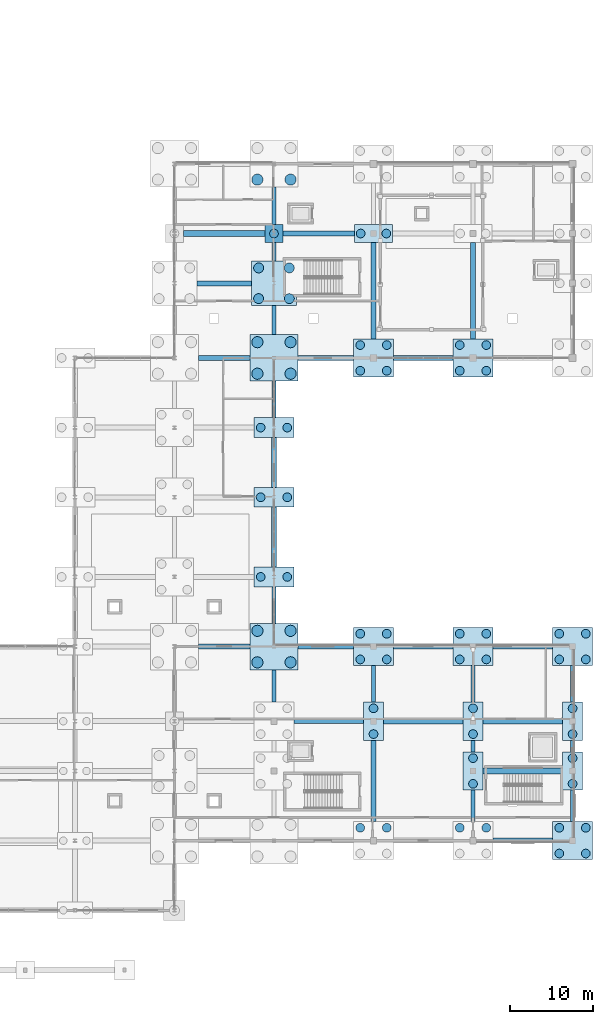
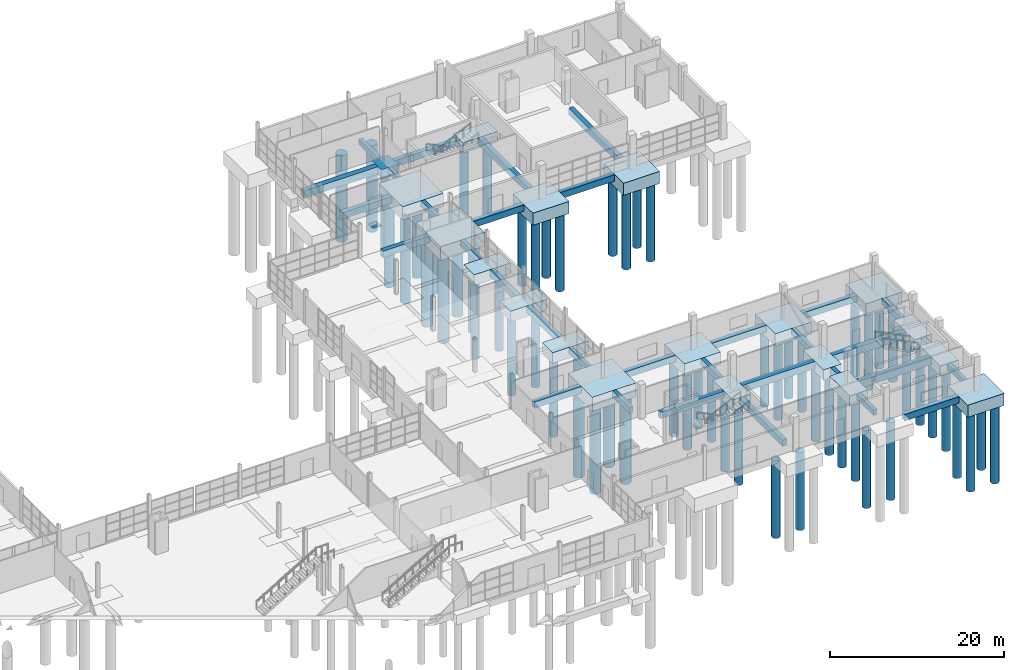
# One storey, part 5 of 82: 61 piles, 52 footings.
"""IFC4 building model written with IfcOpenShell, lengths in metres."""

from ifc_helpers import new_model, si_unit, direction, frame, origin, origin_2d, place, context, subcontext, project, spatial, rectangle, circle, extrude, material, material_profile, profile_set, type_object, element, save


model = new_model("IFC4")

# Units and contexts
model_context = context("Model", 3, precision=1e-05, world=origin(), true_north=direction((0.0, 1.0)))
body_context = subcontext(model_context, "Body", "Model", "MODEL_VIEW")
ifc_project = project(units=[si_unit("LENGTHUNIT", "METRE"), si_unit("AREAUNIT", "SQUARE_METRE"), si_unit("VOLUMEUNIT", "CUBIC_METRE"), si_unit("PLANEANGLEUNIT", "RADIAN"), si_unit("MASSUNIT", "GRAM", prefix="KILO")], contexts=[model_context])

# Site, building, storey
site_placement = place(None, origin())
site = spatial("IfcSite", under=ifc_project, at=site_placement, CompositionType="ELEMENT")
building_placement = place(site_placement, origin())
building = spatial("IfcBuilding", under=site, at=building_placement, Name="Kelmvaro Bay Concert Hall", CompositionType="ELEMENT")
storey_placement = place(building_placement, origin())
storey = spatial("IfcBuildingStorey", under=building, at=storey_placement, Name="L00", CompositionType="ELEMENT", Elevation=0.0)

# Footings
ifc_material_1 = material(Name="Concrete C35/45", Category="concrete")
footing_type_1 = type_object("IfcFootingType", Name="Grade Tie Beam 500x800", PredefinedType="FOOTING_BEAM", material=ifc_material_1)
footing_1_placement = place(storey_placement, frame((132.0, 34.25, -0.7998046875), z_axis=(0.0, 0.0, 1.0), x_axis=(0.0, 1.0, 0.0)))
element("IfcFooting", 1, at=footing_1_placement, inside=storey, type_object=footing_type_1, Name="Grade Tie Beam FDN-TB-181", PredefinedType="FOOTING_BEAM", context=body_context, shape_type="SweptSolid", body=[
    extrude(rectangle(XDim=3.89990234375, YDim=0.5, at=origin_2d()), origin(), (0.0, 0.0, 1.0), 0.800048828125),
])
for number, where, z_axis, x_axis, name in (
    (2, (132.0, 44.0, -0.7998046875), (0.0, 0.0, 1.0), (0.0, 1.0, 0.0), "Grade Tie Beam FDN-TB-182"),
    (3, (132.0, 68.800048828125, -0.7998046875), (0.0, 0.0, 1.0), (0.0, 1.0, 0.0), "Grade Tie Beam FDN-TB-185"),
):
    element("IfcFooting", number, at=place(storey_placement, frame(where, z_axis=z_axis, x_axis=x_axis)), inside=storey, type_object=footing_type_1, Name=name, PredefinedType="FOOTING_BEAM", context=body_context, shape_type="SweptSolid", body=[
        extrude(rectangle(XDim=4.39990234375, YDim=0.5, at=origin_2d()), origin(), (0.0, 0.0, 1.0), 0.800048828125),
    ])
footing_2_placement = place(storey_placement, frame((132.0, 78.35009765625, -0.7998046875), z_axis=(0.0, 0.0, 1.0), x_axis=(0.0, 1.0, 0.0)))
element("IfcFooting", 4, at=footing_2_placement, inside=storey, type_object=footing_type_1, Name="Grade Tie Beam FDN-TB-186", PredefinedType="FOOTING_BEAM", context=body_context, shape_type="SweptSolid", body=[
    extrude(rectangle(XDim=3.5, YDim=0.5, at=origin_2d()), origin(), (0.0, 0.0, 1.0), 0.800048828125),
])
footing_3_placement = place(storey_placement, frame((132.0, 86.60009765625, -0.7998046875), z_axis=(0.0, 0.0, 1.0), x_axis=(0.0, 1.0, 0.0)))
element("IfcFooting", 5, at=footing_3_placement, inside=storey, type_object=footing_type_1, Name="Grade Tie Beam FDN-TB-187", PredefinedType="FOOTING_BEAM", context=body_context, shape_type="SweptSolid", body=[
    extrude(rectangle(XDim=2.199951171875, YDim=0.5, at=origin_2d()), origin(), (0.0, 0.0, 1.0), 0.800048828125),
])
footing_4_placement = place(storey_placement, frame((132.0, 92.14990234375, -0.7998046875), z_axis=(0.0, 0.0, 1.0), x_axis=(0.0, 1.0, 0.0)))
element("IfcFooting", 6, at=footing_4_placement, inside=storey, type_object=footing_type_1, Name="Grade Tie Beam FDN-TB-188", PredefinedType="FOOTING_BEAM", context=body_context, shape_type="SweptSolid", body=[
    extrude(rectangle(XDim=4.5, YDim=0.5, at=origin_2d()), origin(), (0.0, 0.0, 1.0), 0.800048828125),
])
footing_5_placement = place(storey_placement, frame((144.0, 34.5, -0.7998046875), z_axis=(0.0, 0.0, 1.0), x_axis=(0.0, 1.0, 0.0)))
element("IfcFooting", 7, at=footing_5_placement, inside=storey, type_object=footing_type_1, Name="Grade Tie Beam FDN-TB-190", PredefinedType="FOOTING_BEAM", context=body_context, shape_type="SweptSolid", body=[
    extrude(rectangle(XDim=4.39990234375, YDim=0.5, at=origin_2d()), origin(), (0.0, 0.0, 1.0), 0.800048828125),
])
footing_6_placement = place(storey_placement, frame((156.0, 19.800048828125, -0.7998046875), z_axis=(0.0, 0.0, 1.0), x_axis=(0.0, 1.0, 0.0)))
element("IfcFooting", 8, at=footing_6_placement, inside=storey, type_object=footing_type_1, Name="Grade Tie Beam FDN-TB-193", PredefinedType="FOOTING_BEAM", context=body_context, shape_type="SweptSolid", body=[
    extrude(rectangle(XDim=3.800048828125, YDim=0.5, at=origin_2d()), origin(), (0.0, 0.0, 1.0), 0.800048828125),
])
footing_7_placement = place(storey_placement, frame((156.0, 27.0, -0.7998046875), z_axis=(0.0, 0.0, 1.0), x_axis=(0.0, 1.0, 0.0)))
element("IfcFooting", 9, at=footing_7_placement, inside=storey, type_object=footing_type_1, Name="Grade Tie Beam FDN-TB-194", PredefinedType="FOOTING_BEAM", context=body_context, shape_type="SweptSolid", body=[
    extrude(rectangle(XDim=1.39990234375, YDim=0.5, at=origin_2d()), origin(), (0.0, 0.0, 1.0), 0.800048828125),
])
footing_8_placement = place(storey_placement, frame((156.0, 34.5, -0.7998046875), z_axis=(0.0, 0.0, 1.0), x_axis=(0.0, 1.0, 0.0)))
element("IfcFooting", 10, at=footing_8_placement, inside=storey, type_object=footing_type_1, Name="Grade Tie Beam FDN-TB-195", PredefinedType="FOOTING_BEAM", context=body_context, shape_type="SweptSolid", body=[
    extrude(rectangle(XDim=4.39990234375, YDim=0.5, at=origin_2d()), origin(), (0.0, 0.0, 1.0), 0.800048828125),
])
footing_9_placement = place(storey_placement, frame((168.0, 19.800048828125, -0.7998046875), z_axis=(0.0, 0.0, 1.0), x_axis=(0.0, 1.0, 0.0)))
element("IfcFooting", 11, at=footing_9_placement, inside=storey, type_object=footing_type_1, Name="Grade Tie Beam FDN-TB-198", PredefinedType="FOOTING_BEAM", context=body_context, shape_type="SweptSolid", body=[
    extrude(rectangle(XDim=3.800048828125, YDim=0.5, at=origin_2d()), origin(), (0.0, 0.0, 1.0), 0.800048828125),
])
footing_10_placement = place(storey_placement, frame((168.0, 27.0, -0.7998046875), z_axis=(0.0, 0.0, 1.0), x_axis=(0.0, 1.0, 0.0)))
element("IfcFooting", 12, at=footing_10_placement, inside=storey, type_object=footing_type_1, Name="Grade Tie Beam FDN-TB-199", PredefinedType="FOOTING_BEAM", context=body_context, shape_type="SweptSolid", body=[
    extrude(rectangle(XDim=1.39990234375, YDim=0.5, at=origin_2d()), origin(), (0.0, 0.0, 1.0), 0.800048828125),
])
footing_11_placement = place(storey_placement, frame((168.0, 34.5, -0.7998046875), z_axis=(0.0, 0.0, 1.0), x_axis=(0.0, 1.0, 0.0)))
element("IfcFooting", 13, at=footing_11_placement, inside=storey, type_object=footing_type_1, Name="Grade Tie Beam FDN-TB-200", PredefinedType="FOOTING_BEAM", context=body_context, shape_type="SweptSolid", body=[
    extrude(rectangle(XDim=4.39990234375, YDim=0.5, at=origin_2d()), origin(), (0.0, 0.0, 1.0), 0.800048828125),
])
ifc_material_2 = material(Name="Concrete C35/45", Category="concrete")
footing_type_2 = type_object("IfcFootingType", Name="Grade Tie Beam 600x900", PredefinedType="FOOTING_BEAM", material=ifc_material_2)
footing_12_placement = place(storey_placement, frame((162.0, 15.60009765625, -0.89990234375), z_axis=(0.0, 0.0, 1.0), x_axis=(1.0, 0.0, 0.0)))
element("IfcFooting", 14, at=footing_12_placement, inside=storey, type_object=footing_type_2, Name="Grade Tie Beam FDN-TB-025", PredefinedType="FOOTING_BEAM", context=body_context, shape_type="SweptSolid", body=[
    extrude(rectangle(XDim=7.199951171875, YDim=0.60009765625, at=origin_2d()), origin(), (0.0, 0.0, 1.0), 0.89990234375),
])
footing_13_placement = place(storey_placement, frame((138.60009765625, 30.0, -0.89990234375), z_axis=(0.0, 0.0, 1.0), x_axis=(1.0, 0.0, 0.0)))
element("IfcFooting", 15, at=footing_13_placement, inside=storey, type_object=footing_type_2, Name="Grade Tie Beam FDN-TB-038", PredefinedType="FOOTING_BEAM", context=body_context, shape_type="SweptSolid", body=[
    extrude(rectangle(XDim=8.39990234375, YDim=0.60009765625, at=origin_2d()), origin(), (0.0, 0.0, 1.0), 0.89990234375),
])
footing_14_placement = place(storey_placement, frame((126.0, 39.0, -0.89990234375), z_axis=(0.0, 0.0, 1.0), x_axis=(1.0, 0.0, 0.0)))
element("IfcFooting", 16, at=footing_14_placement, inside=storey, type_object=footing_type_2, Name="Grade Tie Beam FDN-TB-051", PredefinedType="FOOTING_BEAM", context=body_context, shape_type="SweptSolid", body=[
    extrude(rectangle(XDim=6.199951171875, YDim=0.60009765625, at=origin_2d()), origin(), (0.0, 0.0, 1.0), 0.89990234375),
])
footing_15_placement = place(storey_placement, frame((138.25, 39.0, -0.89990234375), z_axis=(0.0, 0.0, 1.0), x_axis=(1.0, 0.0, 0.0)))
element("IfcFooting", 17, at=footing_15_placement, inside=storey, type_object=footing_type_2, Name="Grade Tie Beam FDN-TB-052", PredefinedType="FOOTING_BEAM", context=body_context, shape_type="SweptSolid", body=[
    extrude(rectangle(XDim=6.699951171875, YDim=0.60009765625, at=origin_2d()), origin(), (0.0, 0.0, 1.0), 0.89990234375),
])
for number, where, z_axis, x_axis, name in (
    (18, (150.0, 39.0, -0.89990234375), (0.0, 0.0, 1.0), (1.0, 0.0, 0.0), "Grade Tie Beam FDN-TB-053"),
    (19, (162.0, 39.0, -0.89990234375), (0.0, 0.0, 1.0), (1.0, 0.0, 0.0), "Grade Tie Beam FDN-TB-054"),
):
    element("IfcFooting", number, at=place(storey_placement, frame(where, z_axis=z_axis, x_axis=x_axis)), inside=storey, type_object=footing_type_2, Name=name, PredefinedType="FOOTING_BEAM", context=body_context, shape_type="SweptSolid", body=[
        extrude(rectangle(XDim=7.199951171875, YDim=0.60009765625, at=origin_2d()), origin(), (0.0, 0.0, 1.0), 0.89990234375),
    ])
footing_16_placement = place(storey_placement, frame((126.0, 73.800048828125, -0.89990234375), z_axis=(0.0, 0.0, 1.0), x_axis=(1.0, 0.0, 0.0)))
element("IfcFooting", 20, at=footing_16_placement, inside=storey, type_object=footing_type_2, Name="Grade Tie Beam FDN-TB-081", PredefinedType="FOOTING_BEAM", context=body_context, shape_type="SweptSolid", body=[
    extrude(rectangle(XDim=6.199951171875, YDim=0.60009765625, at=origin_2d()), origin(), (0.0, 0.0, 1.0), 0.89990234375),
])
footing_17_placement = place(storey_placement, frame((138.25, 73.800048828125, -0.89990234375), z_axis=(0.0, 0.0, 1.0), x_axis=(1.0, 0.0, 0.0)))
element("IfcFooting", 21, at=footing_17_placement, inside=storey, type_object=footing_type_2, Name="Grade Tie Beam FDN-TB-082", PredefinedType="FOOTING_BEAM", context=body_context, shape_type="SweptSolid", body=[
    extrude(rectangle(XDim=6.699951171875, YDim=0.60009765625, at=origin_2d()), origin(), (0.0, 0.0, 1.0), 0.89990234375),
])
footing_18_placement = place(storey_placement, frame((150.0, 73.800048828125, -0.89990234375), z_axis=(0.0, 0.0, 1.0), x_axis=(1.0, 0.0, 0.0)))
element("IfcFooting", 22, at=footing_18_placement, inside=storey, type_object=footing_type_2, Name="Grade Tie Beam FDN-TB-083", PredefinedType="FOOTING_BEAM", context=body_context, shape_type="SweptSolid", body=[
    extrude(rectangle(XDim=7.199951171875, YDim=0.60009765625, at=origin_2d()), origin(), (0.0, 0.0, 1.0), 0.89990234375),
])
footing_19_placement = place(storey_placement, frame((126.0, 82.800048828125, -0.89990234375), z_axis=(0.0, 0.0, 1.0), x_axis=(1.0, 0.0, 0.0)))
element("IfcFooting", 23, at=footing_19_placement, inside=storey, type_object=footing_type_2, Name="Grade Tie Beam FDN-TB-087", PredefinedType="FOOTING_BEAM", context=body_context, shape_type="SweptSolid", body=[
    extrude(rectangle(XDim=6.60009765625, YDim=0.60009765625, at=origin_2d()), origin(), (0.0, 0.0, 1.0), 0.89990234375),
])
footing_20_placement = place(storey_placement, frame((137.39990234375, 88.800048828125, -0.89990234375), z_axis=(0.0, 0.0, 1.0), x_axis=(1.0, 0.0, 0.0)))
element("IfcFooting", 24, at=footing_20_placement, inside=storey, type_object=footing_type_2, Name="Grade Tie Beam FDN-TB-089", PredefinedType="FOOTING_BEAM", context=body_context, shape_type="SweptSolid", body=[
    extrude(rectangle(XDim=8.60009765625, YDim=0.60009765625, at=origin_2d()), origin(), (0.0, 0.0, 1.0), 0.89990234375),
])
footing_21_placement = place(storey_placement, frame((132.0, 52.199951171875, -0.89990234375), z_axis=(0.0, 0.0, 1.0), x_axis=(0.0, 1.0, 0.0)))
element("IfcFooting", 25, at=footing_21_placement, inside=storey, type_object=footing_type_2, Name="Grade Tie Beam FDN-TB-183", PredefinedType="FOOTING_BEAM", context=body_context, shape_type="SweptSolid", body=[
    extrude(rectangle(XDim=7.199951171875, YDim=0.60009765625, at=origin_2d()), origin(), (0.0, 0.0, 1.0), 0.89990234375),
])
footing_22_placement = place(storey_placement, frame((132.0, 61.199951171875, -0.89990234375), z_axis=(0.0, 0.0, 1.0), x_axis=(0.0, 1.0, 0.0)))
element("IfcFooting", 26, at=footing_22_placement, inside=storey, type_object=footing_type_2, Name="Grade Tie Beam FDN-TB-184", PredefinedType="FOOTING_BEAM", context=body_context, shape_type="SweptSolid", body=[
    extrude(rectangle(XDim=6.0, YDim=0.60009765625, at=origin_2d()), origin(), (0.0, 0.0, 1.0), 0.89990234375),
])
footing_23_placement = place(storey_placement, frame((144.0, 22.800048828125, -0.89990234375), z_axis=(0.0, 0.0, 1.0), x_axis=(0.0, 1.0, 0.0)))
element("IfcFooting", 27, at=footing_23_placement, inside=storey, type_object=footing_type_2, Name="Grade Tie Beam FDN-TB-189", PredefinedType="FOOTING_BEAM", context=body_context, shape_type="SweptSolid", body=[
    extrude(rectangle(XDim=9.800048828125, YDim=0.60009765625, at=origin_2d()), origin(), (0.0, 0.0, 1.0), 0.89990234375),
])
for number, where, z_axis, x_axis, name in (
    (28, (144.0, 81.89990234375, -0.89990234375), (0.0, 0.0, 1.0), (0.0, 1.0, 0.0), "Grade Tie Beam FDN-TB-191"),
    (29, (156.0, 81.89990234375, -0.89990234375), (0.0, 0.0, 1.0), (0.0, 1.0, 0.0), "Grade Tie Beam FDN-TB-196"),
):
    element("IfcFooting", number, at=place(storey_placement, frame(where, z_axis=z_axis, x_axis=x_axis)), inside=storey, type_object=footing_type_2, Name=name, PredefinedType="FOOTING_BEAM", context=body_context, shape_type="SweptSolid", body=[
        extrude(rectangle(XDim=11.60009765625, YDim=0.60009765625, at=origin_2d()), origin(), (0.0, 0.0, 1.0), 0.89990234375),
    ])
ifc_material_3 = material(Name="Concrete C35/45", Category="concrete")
footing_type_3 = type_object("IfcFootingType", Name="Grade Tie Beam 700x1000", PredefinedType="FOOTING_BEAM", material=ifc_material_3)
for number, where, z_axis, x_axis, name in (
    (30, (162.0, 24.0, -1.0), (0.0, 0.0, 1.0), (1.0, 0.0, 0.0), "Grade Tie Beam FDN-TB-030"),
    (31, (150.0, 30.0, -1.0), (0.0, 0.0, 1.0), (1.0, 0.0, 0.0), "Grade Tie Beam FDN-TB-039"),
    (32, (162.0, 30.0, -1.0), (0.0, 0.0, 1.0), (1.0, 0.0, 0.0), "Grade Tie Beam FDN-TB-040"),
):
    element("IfcFooting", number, at=place(storey_placement, frame(where, z_axis=z_axis, x_axis=x_axis)), inside=storey, type_object=footing_type_3, Name=name, PredefinedType="FOOTING_BEAM", context=body_context, shape_type="SweptSolid", body=[
        extrude(rectangle(XDim=9.60009765625, YDim=0.699951171875, at=origin_2d()), origin(), (0.0, 0.0, 1.0), 1.0),
    ])
footing_24_placement = place(storey_placement, frame((126.0, 88.800048828125, -1.0), z_axis=(0.0, 0.0, 1.0), x_axis=(1.0, 0.0, 0.0)))
element("IfcFooting", 33, at=footing_24_placement, inside=storey, type_object=footing_type_3, Name="Grade Tie Beam FDN-TB-088", PredefinedType="FOOTING_BEAM", context=body_context, shape_type="SweptSolid", body=[
    extrude(rectangle(XDim=9.800048828125, YDim=0.699951171875, at=origin_2d()), origin(), (0.0, 0.0, 1.0), 1.0),
])
ifc_material_4 = material(Name="Concrete C35/45", Category="concrete")
footing_type_4 = type_object("IfcFootingType", Name="Pile Cap 2200x2200x1200", PredefinedType="PILE_CAP", material=ifc_material_4)
footing_25_placement = place(storey_placement, frame((132.0, 88.800048828125, -1.2001953125), z_axis=(0.0, 0.0, 1.0), x_axis=(1.0, 0.0, 0.0)))
element("IfcFooting", 34, at=footing_25_placement, inside=storey, type_object=footing_type_4, Name="Pile Cap FDN-PC-041", PredefinedType="PILE_CAP", context=body_context, shape_type="SweptSolid", body=[
    extrude(rectangle(XDim=2.199951171875, YDim=2.199951171875, at=origin_2d()), origin(), (0.0, 0.0, 1.0), 1.199951171875),
])
ifc_material_5 = material(Name="Concrete C35/45", Category="concrete")
footing_type_5 = type_object("IfcFootingType", Name="Pile Cap 2400x4600x1450", PredefinedType="PILE_CAP", material=ifc_material_5)
for number, where, z_axis, x_axis, name in (
    (35, (144.0, 30.0, -1.4501953125), (0.0, 0.0, 1.0), (1.0, 0.0, 0.0), "Pile Cap FDN-PC-080"),
    (36, (156.0, 24.0, -1.4501953125), (0.0, 0.0, 1.0), (1.0, 0.0, 0.0), "Pile Cap FDN-PC-083"),
    (37, (156.0, 30.0, -1.4501953125), (0.0, 0.0, 1.0), (1.0, 0.0, 0.0), "Pile Cap FDN-PC-084"),
    (38, (168.0, 24.0, -1.4501953125), (0.0, 0.0, 1.0), (1.0, 0.0, 0.0), "Pile Cap FDN-PC-087"),
    (39, (168.0, 30.0, -1.4501953125), (0.0, 0.0, 1.0), (1.0, 0.0, 0.0), "Pile Cap FDN-PC-088"),
):
    element("IfcFooting", number, at=place(storey_placement, frame(where, z_axis=z_axis, x_axis=x_axis)), inside=storey, type_object=footing_type_5, Name=name, PredefinedType="PILE_CAP", context=body_context, shape_type="SweptSolid", body=[
        extrude(rectangle(XDim=2.39990234375, YDim=4.60009765625, at=origin_2d()), origin(), (0.0, 0.0, 1.0), 1.449951171875),
    ])
ifc_material_6 = material(Name="Concrete C35/45", Category="concrete")
footing_type_6 = type_object("IfcFootingType", Name="Pile Cap 4600x2200x1450", PredefinedType="PILE_CAP", material=ifc_material_6)
footing_26_placement = place(storey_placement, frame((144.0, 88.800048828125, -1.4501953125), z_axis=(0.0, 0.0, 1.0), x_axis=(1.0, 0.0, 0.0)))
element("IfcFooting", 40, at=footing_26_placement, inside=storey, type_object=footing_type_6, Name="Pile Cap FDN-PC-044", PredefinedType="PILE_CAP", context=body_context, shape_type="SweptSolid", body=[
    extrude(rectangle(XDim=4.60009765625, YDim=2.199951171875, at=origin_2d()), origin(), (0.0, 0.0, 1.0), 1.449951171875),
])
ifc_material_7 = material(Name="Concrete C35/45", Category="concrete")
footing_type_7 = type_object("IfcFootingType", Name="Pile Cap 4800x2400x1500", PredefinedType="PILE_CAP", material=ifc_material_7)
for number, where, z_axis, x_axis, name in (
    (41, (132.0, 47.39990234375, -1.5), (0.0, 0.0, 1.0), (1.0, 0.0, 0.0), "Pile Cap FDN-PC-130"),
    (42, (132.0, 57.0, -1.5), (0.0, 0.0, 1.0), (1.0, 0.0, 0.0), "Pile Cap FDN-PC-131"),
    (43, (132.0, 65.39990234375, -1.5), (0.0, 0.0, 1.0), (1.0, 0.0, 0.0), "Pile Cap FDN-PC-132"),
):
    element("IfcFooting", number, at=place(storey_placement, frame(where, z_axis=z_axis, x_axis=x_axis)), inside=storey, type_object=footing_type_7, Name=name, PredefinedType="PILE_CAP", context=body_context, shape_type="SweptSolid", body=[
        extrude(rectangle(XDim=4.800048828125, YDim=2.39990234375, at=origin_2d()), origin(), (0.0, 0.0, 1.0), 1.5),
    ])
ifc_material_8 = material(Name="Concrete C35/45", Category="concrete")
footing_type_8 = type_object("IfcFootingType", Name="Pile Cap 4800x4600x1700", PredefinedType="PILE_CAP", material=ifc_material_8)
for number, where, z_axis, x_axis, name in (
    (44, (144.0, 73.800048828125, -1.7001953125), (0.0, 0.0, 1.0), (1.0, 0.0, 0.0), "Pile Cap FDN-PC-043"),
    (45, (156.0, 73.800048828125, -1.7001953125), (0.0, 0.0, 1.0), (1.0, 0.0, 0.0), "Pile Cap FDN-PC-046"),
    (46, (144.0, 39.0, -1.7001953125), (0.0, 0.0, 1.0), (1.0, 0.0, 0.0), "Pile Cap FDN-PC-081"),
    (47, (156.0, 39.0, -1.7001953125), (0.0, 0.0, 1.0), (1.0, 0.0, 0.0), "Pile Cap FDN-PC-085"),
    (48, (168.0, 15.60009765625, -1.7001953125), (0.0, 0.0, 1.0), (1.0, 0.0, 0.0), "Pile Cap FDN-PC-086"),
    (49, (168.0, 39.0, -1.7001953125), (0.0, 0.0, 1.0), (1.0, 0.0, 0.0), "Pile Cap FDN-PC-089"),
):
    element("IfcFooting", number, at=place(storey_placement, frame(where, z_axis=z_axis, x_axis=x_axis)), inside=storey, type_object=footing_type_8, Name=name, PredefinedType="PILE_CAP", context=body_context, shape_type="SweptSolid", body=[
        extrude(rectangle(XDim=4.800048828125, YDim=4.60009765625, at=origin_2d()), origin(), (0.0, 0.0, 1.0), 1.699951171875),
    ])
ifc_material_9 = material(Name="Concrete C35/45", Category="concrete")
footing_type_9 = type_object("IfcFootingType", Name="Pile Cap 5400x5400x1850", PredefinedType="PILE_CAP", material=ifc_material_9)
footing_27_placement = place(storey_placement, frame((132.0, 82.800048828125, -1.85009765625), z_axis=(0.0, 0.0, 1.0), x_axis=(1.0, 0.0, 0.0)))
element("IfcFooting", 50, at=footing_27_placement, inside=storey, type_object=footing_type_9, Name="Pile Cap FDN-PC-040", PredefinedType="PILE_CAP", context=body_context, shape_type="SweptSolid", body=[
    extrude(rectangle(XDim=5.39990234375, YDim=5.39990234375, at=origin_2d()), origin(), (0.0, 0.0, 1.0), 1.85009765625),
])
ifc_material_10 = material(Name="Concrete C35/45", Category="concrete")
footing_type_10 = type_object("IfcFootingType", Name="Pile Cap 5800x5600x1950", PredefinedType="PILE_CAP", material=ifc_material_10)
for number, where, z_axis, x_axis, name in (
    (51, (132.0, 73.800048828125, -1.9501953125), (0.0, 0.0, 1.0), (1.0, 0.0, 0.0), "Pile Cap FDN-PC-039"),
    (52, (132.0, 39.0, -1.9501953125), (0.0, 0.0, 1.0), (1.0, 0.0, 0.0), "Pile Cap FDN-PC-078"),
):
    element("IfcFooting", number, at=place(storey_placement, frame(where, z_axis=z_axis, x_axis=x_axis)), inside=storey, type_object=footing_type_10, Name=name, PredefinedType="PILE_CAP", context=body_context, shape_type="SweptSolid", body=[
        extrude(rectangle(XDim=5.800048828125, YDim=5.60009765625, at=origin_2d()), origin(), (0.0, 0.0, 1.0), 1.949951171875),
    ])

# Piles
ifc_material_11 = material(Name="Concrete C35/45", Category="concrete")
ifc_material_profile_1 = material_profile(ifc_material_11, circle(Radius=0.52490234375, at=origin_2d()), Name="PILE-BORED-1050")
ifc_profile_set_1 = profile_set([ifc_material_profile_1], Name="Concrete C35/45")
pile_type_1 = type_object("IfcPileType", Name="Rock Shaft Bored Pile D1050", PredefinedType="BORED", material=ifc_profile_set_1)
pile_placement = place(storey_placement, frame((132.0, 88.800048828125, -1.10009765625), z_axis=(0.0, 0.0, -1.0), x_axis=(1.0, 0.0, 0.0)))
element("IfcPile", 53, at=pile_placement, inside=storey, type_object=pile_type_1, Name="Bored Rock Shaft FDN-BP-0112", PredefinedType="BORED", context=body_context, shape_type="SweptSolid", body=[
    extrude(circle(Radius=0.52490234375, at=origin_2d()), origin(), (0.0, 0.0, 1.0), 11.39990234375),
])
for number, where, z_axis, x_axis, name in (
    (54, (142.39990234375, 72.25, -1.60009765625), (0.0, 0.0, -1.0), (1.0, 0.0, 0.0), "Bored Rock Shaft FDN-BP-0117"),
    (55, (145.60009765625, 72.25, -1.60009765625), (0.0, 0.0, -1.0), (1.0, 0.0, 0.0), "Bored Rock Shaft FDN-BP-0118"),
    (56, (142.39990234375, 75.35009765625, -1.60009765625), (0.0, 0.0, -1.0), (1.0, 0.0, 0.0), "Bored Rock Shaft FDN-BP-0119"),
    (57, (145.60009765625, 75.35009765625, -1.60009765625), (0.0, 0.0, -1.0), (1.0, 0.0, 0.0), "Bored Rock Shaft FDN-BP-0120"),
):
    element("IfcPile", number, at=place(storey_placement, frame(where, z_axis=z_axis, x_axis=x_axis)), inside=storey, type_object=pile_type_1, Name=name, PredefinedType="BORED", context=body_context, shape_type="SweptSolid", body=[
        extrude(circle(Radius=0.52490234375, at=origin_2d()), origin(), (0.0, 0.0, 1.0), 10.89990234375),
    ])
for number, where, z_axis, x_axis, name in (
    (58, (142.449951171875, 88.800048828125, -1.35009765625), (0.0, 0.0, -1.0), (1.0, 0.0, 0.0), "Bored Rock Shaft FDN-BP-0121"),
    (59, (145.550048828125, 88.800048828125, -1.35009765625), (0.0, 0.0, -1.0), (1.0, 0.0, 0.0), "Bored Rock Shaft FDN-BP-0122"),
):
    element("IfcPile", number, at=place(storey_placement, frame(where, z_axis=z_axis, x_axis=x_axis)), inside=storey, type_object=pile_type_1, Name=name, PredefinedType="BORED", context=body_context, shape_type="SweptSolid", body=[
        extrude(circle(Radius=0.52490234375, at=origin_2d()), origin(), (0.0, 0.0, 1.0), 11.14990234375),
    ])
for number, where, z_axis, x_axis, name in (
    (60, (154.39990234375, 72.25, -1.60009765625), (0.0, 0.0, -1.0), (1.0, 0.0, 0.0), "Bored Rock Shaft FDN-BP-0127"),
    (61, (157.60009765625, 72.25, -1.60009765625), (0.0, 0.0, -1.0), (1.0, 0.0, 0.0), "Bored Rock Shaft FDN-BP-0128"),
    (62, (154.39990234375, 75.35009765625, -1.60009765625), (0.0, 0.0, -1.0), (1.0, 0.0, 0.0), "Bored Rock Shaft FDN-BP-0129"),
    (63, (157.60009765625, 75.35009765625, -1.60009765625), (0.0, 0.0, -1.0), (1.0, 0.0, 0.0), "Bored Rock Shaft FDN-BP-0130"),
    (64, (142.39990234375, 17.14990234375, -1.60009765625), (0.0, 0.0, -1.0), (1.0, 0.0, 0.0), "Bored Rock Shaft FDN-BP-0208"),
    (65, (145.60009765625, 17.14990234375, -1.60009765625), (0.0, 0.0, -1.0), (1.0, 0.0, 0.0), "Bored Rock Shaft FDN-BP-0209"),
):
    element("IfcPile", number, at=place(storey_placement, frame(where, z_axis=z_axis, x_axis=x_axis)), inside=storey, type_object=pile_type_1, Name=name, PredefinedType="BORED", context=body_context, shape_type="SweptSolid", body=[
        extrude(circle(Radius=0.52490234375, at=origin_2d()), origin(), (0.0, 0.0, 1.0), 10.89990234375),
    ])
for number, where, z_axis, x_axis, name in (
    (66, (144.0, 28.449951171875, -1.35009765625), (0.0, 0.0, -1.0), (1.0, 0.0, 0.0), "Bored Rock Shaft FDN-BP-0210"),
    (67, (144.0, 31.550048828125, -1.35009765625), (0.0, 0.0, -1.0), (1.0, 0.0, 0.0), "Bored Rock Shaft FDN-BP-0211"),
):
    element("IfcPile", number, at=place(storey_placement, frame(where, z_axis=z_axis, x_axis=x_axis)), inside=storey, type_object=pile_type_1, Name=name, PredefinedType="BORED", context=body_context, shape_type="SweptSolid", body=[
        extrude(circle(Radius=0.52490234375, at=origin_2d()), origin(), (0.0, 0.0, 1.0), 11.14990234375),
    ])
for number, where, z_axis, x_axis, name in (
    (68, (142.39990234375, 37.449951171875, -1.60009765625), (0.0, 0.0, -1.0), (1.0, 0.0, 0.0), "Bored Rock Shaft FDN-BP-0212"),
    (69, (145.60009765625, 37.449951171875, -1.60009765625), (0.0, 0.0, -1.0), (1.0, 0.0, 0.0), "Bored Rock Shaft FDN-BP-0213"),
    (70, (142.39990234375, 40.550048828125, -1.60009765625), (0.0, 0.0, -1.0), (1.0, 0.0, 0.0), "Bored Rock Shaft FDN-BP-0214"),
    (71, (145.60009765625, 40.550048828125, -1.60009765625), (0.0, 0.0, -1.0), (1.0, 0.0, 0.0), "Bored Rock Shaft FDN-BP-0215"),
    (72, (154.39990234375, 17.14990234375, -1.60009765625), (0.0, 0.0, -1.0), (1.0, 0.0, 0.0), "Bored Rock Shaft FDN-BP-0218"),
    (73, (157.60009765625, 17.14990234375, -1.60009765625), (0.0, 0.0, -1.0), (1.0, 0.0, 0.0), "Bored Rock Shaft FDN-BP-0219"),
):
    element("IfcPile", number, at=place(storey_placement, frame(where, z_axis=z_axis, x_axis=x_axis)), inside=storey, type_object=pile_type_1, Name=name, PredefinedType="BORED", context=body_context, shape_type="SweptSolid", body=[
        extrude(circle(Radius=0.52490234375, at=origin_2d()), origin(), (0.0, 0.0, 1.0), 10.89990234375),
    ])
for number, where, z_axis, x_axis, name in (
    (74, (156.0, 22.449951171875, -1.35009765625), (0.0, 0.0, -1.0), (1.0, 0.0, 0.0), "Bored Rock Shaft FDN-BP-0220"),
    (75, (156.0, 25.550048828125, -1.35009765625), (0.0, 0.0, -1.0), (1.0, 0.0, 0.0), "Bored Rock Shaft FDN-BP-0221"),
    (76, (156.0, 28.449951171875, -1.35009765625), (0.0, 0.0, -1.0), (1.0, 0.0, 0.0), "Bored Rock Shaft FDN-BP-0222"),
    (77, (156.0, 31.550048828125, -1.35009765625), (0.0, 0.0, -1.0), (1.0, 0.0, 0.0), "Bored Rock Shaft FDN-BP-0223"),
):
    element("IfcPile", number, at=place(storey_placement, frame(where, z_axis=z_axis, x_axis=x_axis)), inside=storey, type_object=pile_type_1, Name=name, PredefinedType="BORED", context=body_context, shape_type="SweptSolid", body=[
        extrude(circle(Radius=0.52490234375, at=origin_2d()), origin(), (0.0, 0.0, 1.0), 11.14990234375),
    ])
for number, where, z_axis, x_axis, name in (
    (78, (154.39990234375, 37.449951171875, -1.60009765625), (0.0, 0.0, -1.0), (1.0, 0.0, 0.0), "Bored Rock Shaft FDN-BP-0224"),
    (79, (157.60009765625, 37.449951171875, -1.60009765625), (0.0, 0.0, -1.0), (1.0, 0.0, 0.0), "Bored Rock Shaft FDN-BP-0225"),
    (80, (154.39990234375, 40.550048828125, -1.60009765625), (0.0, 0.0, -1.0), (1.0, 0.0, 0.0), "Bored Rock Shaft FDN-BP-0226"),
    (81, (157.60009765625, 40.550048828125, -1.60009765625), (0.0, 0.0, -1.0), (1.0, 0.0, 0.0), "Bored Rock Shaft FDN-BP-0227"),
    (82, (166.39990234375, 14.050048828125, -1.60009765625), (0.0, 0.0, -1.0), (1.0, 0.0, 0.0), "Bored Rock Shaft FDN-BP-0228"),
    (83, (169.60009765625, 14.050048828125, -1.60009765625), (0.0, 0.0, -1.0), (1.0, 0.0, 0.0), "Bored Rock Shaft FDN-BP-0229"),
    (84, (166.39990234375, 17.14990234375, -1.60009765625), (0.0, 0.0, -1.0), (1.0, 0.0, 0.0), "Bored Rock Shaft FDN-BP-0230"),
    (85, (169.60009765625, 17.14990234375, -1.60009765625), (0.0, 0.0, -1.0), (1.0, 0.0, 0.0), "Bored Rock Shaft FDN-BP-0231"),
):
    element("IfcPile", number, at=place(storey_placement, frame(where, z_axis=z_axis, x_axis=x_axis)), inside=storey, type_object=pile_type_1, Name=name, PredefinedType="BORED", context=body_context, shape_type="SweptSolid", body=[
        extrude(circle(Radius=0.52490234375, at=origin_2d()), origin(), (0.0, 0.0, 1.0), 10.89990234375),
    ])
for number, where, z_axis, x_axis, name in (
    (86, (168.0, 22.449951171875, -1.35009765625), (0.0, 0.0, -1.0), (1.0, 0.0, 0.0), "Bored Rock Shaft FDN-BP-0232"),
    (87, (168.0, 25.550048828125, -1.35009765625), (0.0, 0.0, -1.0), (1.0, 0.0, 0.0), "Bored Rock Shaft FDN-BP-0233"),
    (88, (168.0, 28.449951171875, -1.35009765625), (0.0, 0.0, -1.0), (1.0, 0.0, 0.0), "Bored Rock Shaft FDN-BP-0234"),
    (89, (168.0, 31.550048828125, -1.35009765625), (0.0, 0.0, -1.0), (1.0, 0.0, 0.0), "Bored Rock Shaft FDN-BP-0235"),
):
    element("IfcPile", number, at=place(storey_placement, frame(where, z_axis=z_axis, x_axis=x_axis)), inside=storey, type_object=pile_type_1, Name=name, PredefinedType="BORED", context=body_context, shape_type="SweptSolid", body=[
        extrude(circle(Radius=0.52490234375, at=origin_2d()), origin(), (0.0, 0.0, 1.0), 11.14990234375),
    ])
for number, where, z_axis, x_axis, name in (
    (90, (166.39990234375, 37.449951171875, -1.60009765625), (0.0, 0.0, -1.0), (1.0, 0.0, 0.0), "Bored Rock Shaft FDN-BP-0236"),
    (91, (169.60009765625, 37.449951171875, -1.60009765625), (0.0, 0.0, -1.0), (1.0, 0.0, 0.0), "Bored Rock Shaft FDN-BP-0237"),
    (92, (166.39990234375, 40.550048828125, -1.60009765625), (0.0, 0.0, -1.0), (1.0, 0.0, 0.0), "Bored Rock Shaft FDN-BP-0238"),
    (93, (169.60009765625, 40.550048828125, -1.60009765625), (0.0, 0.0, -1.0), (1.0, 0.0, 0.0), "Bored Rock Shaft FDN-BP-0239"),
):
    element("IfcPile", number, at=place(storey_placement, frame(where, z_axis=z_axis, x_axis=x_axis)), inside=storey, type_object=pile_type_1, Name=name, PredefinedType="BORED", context=body_context, shape_type="SweptSolid", body=[
        extrude(circle(Radius=0.52490234375, at=origin_2d()), origin(), (0.0, 0.0, 1.0), 10.89990234375),
    ])
for number, where, z_axis, x_axis, name in (
    (94, (130.39990234375, 47.39990234375, -1.39990234375), (0.0, 0.0, -1.0), (1.0, 0.0, 0.0), "Bored Rock Shaft FDN-BP-0313"),
    (95, (133.60009765625, 47.39990234375, -1.39990234375), (0.0, 0.0, -1.0), (1.0, 0.0, 0.0), "Bored Rock Shaft FDN-BP-0314"),
    (96, (130.39990234375, 57.0, -1.39990234375), (0.0, 0.0, -1.0), (1.0, 0.0, 0.0), "Bored Rock Shaft FDN-BP-0315"),
    (97, (133.60009765625, 57.0, -1.39990234375), (0.0, 0.0, -1.0), (1.0, 0.0, 0.0), "Bored Rock Shaft FDN-BP-0316"),
    (98, (130.39990234375, 65.39990234375, -1.39990234375), (0.0, 0.0, -1.0), (1.0, 0.0, 0.0), "Bored Rock Shaft FDN-BP-0317"),
    (99, (133.60009765625, 65.39990234375, -1.39990234375), (0.0, 0.0, -1.0), (1.0, 0.0, 0.0), "Bored Rock Shaft FDN-BP-0318"),
):
    element("IfcPile", number, at=place(storey_placement, frame(where, z_axis=z_axis, x_axis=x_axis)), inside=storey, type_object=pile_type_1, Name=name, PredefinedType="BORED", context=body_context, shape_type="SweptSolid", body=[
        extrude(circle(Radius=0.52490234375, at=origin_2d()), origin(), (0.0, 0.0, 1.0), 11.10009765625),
    ])
ifc_material_12 = material(Name="Concrete C35/45", Category="concrete")
ifc_material_profile_2 = material_profile(ifc_material_12, circle(Radius=0.60009765625, at=origin_2d()), Name="PILE-BORED-1200")
ifc_profile_set_2 = profile_set([ifc_material_profile_2], Name="Concrete C35/45")
pile_type_2 = type_object("IfcPileType", Name="Rock Shaft Bored Pile D1200", PredefinedType="BORED", material=ifc_profile_set_2)
for number, where, z_axis, x_axis, name in (
    (100, (130.14990234375, 80.949951171875, -1.75), (0.0, 0.0, -1.0), (1.0, 0.0, 0.0), "Bored Rock Shaft FDN-BP-0108"),
    (101, (133.85009765625, 80.949951171875, -1.75), (0.0, 0.0, -1.0), (1.0, 0.0, 0.0), "Bored Rock Shaft FDN-BP-0109"),
    (102, (130.14990234375, 84.64990234375, -1.75), (0.0, 0.0, -1.0), (1.0, 0.0, 0.0), "Bored Rock Shaft FDN-BP-0110"),
    (103, (133.85009765625, 84.64990234375, -1.75), (0.0, 0.0, -1.0), (1.0, 0.0, 0.0), "Bored Rock Shaft FDN-BP-0111"),
):
    element("IfcPile", number, at=place(storey_placement, frame(where, z_axis=z_axis, x_axis=x_axis)), inside=storey, type_object=pile_type_2, Name=name, PredefinedType="BORED", context=body_context, shape_type="SweptSolid", body=[
        extrude(circle(Radius=0.60009765625, at=origin_2d()), origin(), (0.0, 0.0, 1.0), 12.25),
    ])
ifc_material_13 = material(Name="Concrete C35/45", Category="concrete")
ifc_material_profile_3 = material_profile(ifc_material_13, circle(Radius=0.675048828125, at=origin_2d()), Name="PILE-BORED-1350")
ifc_profile_set_3 = profile_set([ifc_material_profile_3], Name="Concrete C35/45")
pile_type_3 = type_object("IfcPileType", Name="Rock Shaft Bored Pile D1350", PredefinedType="BORED", material=ifc_profile_set_3)
for number, where, z_axis, x_axis, name in (
    (104, (130.0, 71.89990234375, -1.85009765625), (0.0, 0.0, -1.0), (1.0, 0.0, 0.0), "Bored Rock Shaft FDN-BP-0104"),
    (105, (134.0, 71.89990234375, -1.85009765625), (0.0, 0.0, -1.0), (1.0, 0.0, 0.0), "Bored Rock Shaft FDN-BP-0105"),
    (106, (130.0, 75.699951171875, -1.85009765625), (0.0, 0.0, -1.0), (1.0, 0.0, 0.0), "Bored Rock Shaft FDN-BP-0106"),
    (107, (134.0, 75.699951171875, -1.85009765625), (0.0, 0.0, -1.0), (1.0, 0.0, 0.0), "Bored Rock Shaft FDN-BP-0107"),
    (108, (130.0, 95.300048828125, -1.85009765625), (0.0, 0.0, -1.0), (1.0, 0.0, 0.0), "Bored Rock Shaft FDN-BP-0113"),
    (109, (134.0, 95.300048828125, -1.85009765625), (0.0, 0.0, -1.0), (1.0, 0.0, 0.0), "Bored Rock Shaft FDN-BP-0114"),
    (110, (130.0, 37.10009765625, -1.85009765625), (0.0, 0.0, -1.0), (1.0, 0.0, 0.0), "Bored Rock Shaft FDN-BP-0202"),
    (111, (134.0, 37.10009765625, -1.85009765625), (0.0, 0.0, -1.0), (1.0, 0.0, 0.0), "Bored Rock Shaft FDN-BP-0203"),
    (112, (130.0, 40.89990234375, -1.85009765625), (0.0, 0.0, -1.0), (1.0, 0.0, 0.0), "Bored Rock Shaft FDN-BP-0204"),
    (113, (134.0, 40.89990234375, -1.85009765625), (0.0, 0.0, -1.0), (1.0, 0.0, 0.0), "Bored Rock Shaft FDN-BP-0205"),
):
    element("IfcPile", number, at=place(storey_placement, frame(where, z_axis=z_axis, x_axis=x_axis)), inside=storey, type_object=pile_type_3, Name=name, PredefinedType="BORED", context=body_context, shape_type="SweptSolid", body=[
        extrude(circle(Radius=0.675048828125, at=origin_2d()), origin(), (0.0, 0.0, 1.0), 12.14990234375),
    ])

save(model, "model.ifc")
